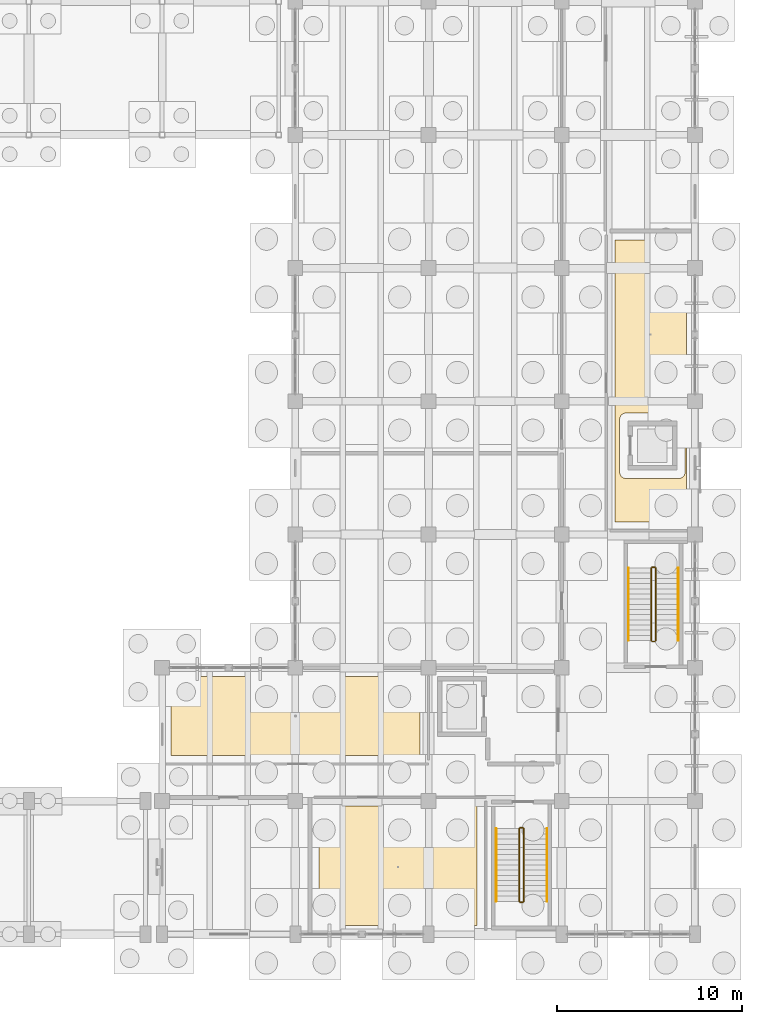
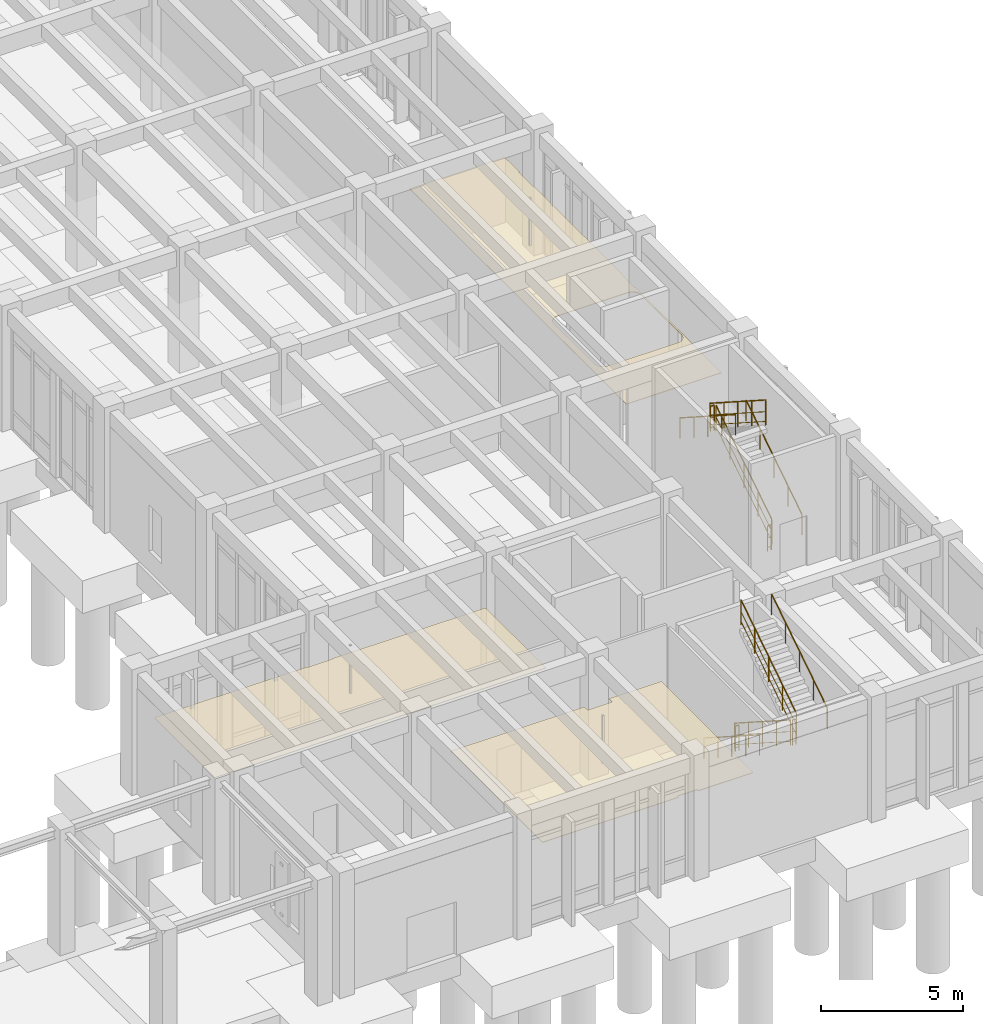
# One storey, part 91 of 93: 12 railings, 3 coverings.
"""IFC4 building model written with IfcOpenShell, lengths in metres."""

import ifcopenshell
import ifcopenshell.guid

model = None  # the IFC model being written
_history = None  # IfcOwnerHistory: only IFC2X3 demands one
_inside = {}  # id of a spatial element -> (the spatial element, [elements in it])
_under = {}  # id of a project, library or spatial element -> (it, [spatial elements below it])
_declared = {}  # id of a project -> (the project, [libraries it declares])
_typed = {}  # id of a type object -> (the type object, [elements of that type])
_made_of = {}  # id of a material, layer set ... -> (it, [elements and type objects made of it])


def new_model(schema):
    """Start an empty IFC model of exactly this schema.

    Asked for "IFC4X3", IfcOpenShell would pick the latest addendum, in which some entities
    have other attributes; the version numbers below select the first issue.
    IFC2X3 requires an IfcOwnerHistory on every rooted entity: one is made here for all.
    """
    global model, _history
    if schema == "IFC4X3":
        model = ifcopenshell.file(schema_version=(4, 3, 0, 0))
    else:
        model = ifcopenshell.file(schema=schema)
    _inside.clear()
    _under.clear()
    _declared.clear()
    _typed.clear()
    _made_of.clear()
    _history = None
    if model.schema == "IFC2X3":
        org = make("IfcOrganization", Name="unknown")
        user = make(
            "IfcPersonAndOrganization",
            ThePerson=make("IfcPerson", FamilyName="unknown"),
            TheOrganization=org,
        )
        app = make(
            "IfcApplication",
            ApplicationDeveloper=org,
            Version="unknown",
            ApplicationFullName="unknown",
            ApplicationIdentifier="unknown",
        )
        _history = make(
            "IfcOwnerHistory",
            OwningUser=user,
            OwningApplication=app,
            ChangeAction="ADDED",
            CreationDate=0,
        )
    return model


def make(cls, **values):
    """One entity of the class cls with the attributes given. An attribute that is None is left unset."""
    return model.create_entity(
        cls, **{name: value for name, value in values.items() if value is not None}
    )


def rooted(cls, **values):
    """An entity with a GlobalId (a new one), such as an element, a storey or a relation."""
    return make(cls, GlobalId=ifcopenshell.guid.new(), OwnerHistory=_history, **values)


def si_unit(unit_type, name, prefix=None):
    """IfcSIUnit, for example si_unit("LENGTHUNIT", "METRE", prefix="MILLI")."""
    return make("IfcSIUnit", UnitType=unit_type, Prefix=prefix, Name=name)


def assignment(units):
    """IfcUnitAssignment: the units of a project."""
    return None if units is None else make("IfcUnitAssignment", Units=units)


def point(xyz):
    """IfcCartesianPoint."""
    return None if xyz is None else make("IfcCartesianPoint", Coordinates=xyz)


def direction(xyz):
    """IfcDirection."""
    return None if xyz is None else make("IfcDirection", DirectionRatios=xyz)


def frame(location, z_axis=None, x_axis=None):
    """IfcAxis2Placement3D, a coordinate frame: its origin and axes. An axis left out is left unset."""
    return make(
        "IfcAxis2Placement3D",
        Location=point(location),
        Axis=direction(z_axis),
        RefDirection=direction(x_axis),
    )


def frame_2d(location, x_axis=None):
    """IfcAxis2Placement2D, a coordinate frame in the plane: its origin and x axis."""
    return make(
        "IfcAxis2Placement2D", Location=point(location), RefDirection=direction(x_axis)
    )


def origin():
    """The frame at (0, 0, 0) with its axes left unset."""
    return frame((0.0, 0.0, 0.0))


def origin_2d():
    """The frame at (0, 0) in the plane with its x axis left unset."""
    return frame_2d((0.0, 0.0))


def place(relative_to, where):
    """IfcLocalPlacement: puts the frame where relative to a parent placement (None: the world)."""
    return make(
        "IfcLocalPlacement", PlacementRelTo=relative_to, RelativePlacement=where
    )


def context(
    kind, dimensions, precision=None, world=None, true_north=None, identifier=None
):
    """IfcGeometricRepresentationContext, for example the 3D "Model" context."""
    return make(
        "IfcGeometricRepresentationContext",
        ContextIdentifier=identifier,
        ContextType=kind,
        CoordinateSpaceDimension=dimensions,
        Precision=precision,
        WorldCoordinateSystem=world,
        TrueNorth=true_north,
    )


def subcontext(parent, identifier, kind, view, scale=None):
    """IfcGeometricRepresentationSubContext, for example "Body" below "Model"."""
    return make(
        "IfcGeometricRepresentationSubContext",
        ContextIdentifier=identifier,
        ContextType=kind,
        ParentContext=parent,
        TargetScale=scale,
        TargetView=view,
    )


def project(units=None, contexts=None):
    """IfcProject with its units and contexts."""
    return rooted(
        "IfcProject",
        Name="project",
        RepresentationContexts=contexts,
        UnitsInContext=assignment(units),
    )


def spatial(cls, under=None, at=None, **own):
    """A site, building, storey or space (cls), placed at a placement, below another one or the project."""
    s = rooted(cls, ObjectPlacement=at, **own)
    if under is not None:
        _under.setdefault(under.id(), (under, []))[1].append(s)
    return s


def polyline(points):
    """IfcPolyline through the points."""
    return make("IfcPolyline", Points=[point(p) for p in points])


def profile(cls, at=None, kind="AREA", **sizes):
    """A parametric profile (cls). Its sizes go by their IFC names, for example OverallWidth=200.0."""
    return make(cls, ProfileType=kind, Position=at, **sizes)


def circle(**sizes):
    """IfcCircleProfileDef."""
    return profile("IfcCircleProfileDef", **sizes)


def outline(outer, holes=None, kind="AREA"):
    """IfcArbitraryClosedProfileDef: a profile drawn as a closed curve; with holes, ...WithVoids."""
    if holes is None:
        return make("IfcArbitraryClosedProfileDef", ProfileType=kind, OuterCurve=outer)
    return make(
        "IfcArbitraryProfileDefWithVoids",
        ProfileType=kind,
        OuterCurve=outer,
        InnerCurves=holes,
    )


def extrude(swept, where, along, depth):
    """IfcExtrudedAreaSolid: the profile swept, set in the frame where, extruded along a direction by depth."""
    return make(
        "IfcExtrudedAreaSolid",
        SweptArea=swept,
        Position=where,
        ExtrudedDirection=direction(along),
        Depth=depth,
    )


def shape(context_of_items, identifier, shape_type, items):
    """IfcShapeRepresentation: the items that make up one representation, for example the "Body"."""
    return make(
        "IfcShapeRepresentation",
        ContextOfItems=context_of_items,
        RepresentationIdentifier=identifier,
        RepresentationType=shape_type,
        Items=items,
    )


def material(Name=None, Category=None):
    """IfcMaterial."""
    return make("IfcMaterial", Name=Name, Category=Category)


def layer(
    of_material, thickness, ventilated=None, Name=None, Category=None, Priority=None
):
    """IfcMaterialLayer: one layer of a wall or slab, of a material (None: an air gap)."""
    return make(
        "IfcMaterialLayer",
        Material=of_material,
        LayerThickness=thickness,
        IsVentilated=ventilated,
        Name=Name,
        Category=Category,
        Priority=Priority,
    )


def layer_set(layers, Name=None):
    """IfcMaterialLayerSet."""
    return make("IfcMaterialLayerSet", MaterialLayers=layers, LayerSetName=Name)


def made_of(thing, what):
    """Note that an element or type object is made of a material, layer set ...; save() writes the relation."""
    if what is not None:
        _made_of.setdefault(what.id(), (what, []))[1].append(thing)
    return thing


def type_object(cls, material=None, **own):
    """A type object (cls), such as IfcWallType, which elements share."""
    return made_of(rooted(cls, **own), material)


def element(
    cls,
    number,
    at=None,
    inside=None,
    cuts=None,
    type_object=None,
    material=None,
    context=None,
    identifier="Body",
    shape_type=None,
    held_by="IfcProductDefinitionShape",
    body=None,
    shapes=None,
    **own,
):
    """One element of the class cls, such as IfcWall. Its Tag is "e" and its number.

    at: its placement. inside: the storey or other place that contains it. cuts: it is an
    opening in that element (IfcRelVoidsElement). A single representation is given by context,
    identifier, shape_type and body (its items); several are given by shapes. held_by: the class
    of the entity that holds the representations. save() writes the other relations.
    """
    e = rooted(cls, Tag="e%d" % number, ObjectPlacement=at, **own)
    if body is not None:
        shapes = [shape(context, identifier, shape_type, body)]
    if shapes is not None:
        e.Representation = make(held_by, Representations=shapes)
    if inside is not None:
        _inside.setdefault(inside.id(), (inside, []))[1].append(e)
    if cuts is not None:
        rooted(
            "IfcRelVoidsElement", RelatingBuildingElement=cuts, RelatedOpeningElement=e
        )
    if type_object is not None:
        _typed.setdefault(type_object.id(), (type_object, []))[1].append(e)
    return made_of(e, material)


def aggregate(whole, parts):
    """IfcRelAggregates: a whole, such as a stair, and the parts it consists of."""
    return rooted("IfcRelAggregates", RelatingObject=whole, RelatedObjects=parts)


def save(model, path):
    """Write the relations noted so far, then the file.

    IfcRelAggregates (storeys below a building ...), IfcRelContainedInSpatialStructure (elements
    in a storey), IfcRelDefinesByType, IfcRelAssociatesMaterial and IfcRelDeclares: one each for
    every whole, place, type object, material and project.
    """
    for whole, parts in _under.values():
        aggregate(whole, parts)
    for where, things in _inside.values():
        rooted(
            "IfcRelContainedInSpatialStructure",
            RelatedElements=things,
            RelatingStructure=where,
        )
    for kind, things in _typed.values():
        rooted("IfcRelDefinesByType", RelatedObjects=things, RelatingType=kind)
    for what, things in _made_of.values():
        rooted("IfcRelAssociatesMaterial", RelatedObjects=things, RelatingMaterial=what)
    for by, libraries in _declared.values():
        rooted("IfcRelDeclares", RelatingContext=by, RelatedDefinitions=libraries)
    model.write(path)


model = new_model("IFC4")

# Units and contexts
model_context = context("Model", 3, precision=1e-05, world=origin(), true_north=direction((0.0, 1.0)))
body_context = subcontext(model_context, "Body", "Model", "MODEL_VIEW")
ifc_project = project(units=[si_unit("LENGTHUNIT", "METRE"), si_unit("AREAUNIT", "SQUARE_METRE"), si_unit("VOLUMEUNIT", "CUBIC_METRE"), si_unit("PLANEANGLEUNIT", "RADIAN"), si_unit("MASSUNIT", "GRAM", prefix="KILO")], contexts=[model_context])

# Site, building, storey
site_placement = place(None, origin())
site = spatial("IfcSite", under=ifc_project, at=site_placement, CompositionType="ELEMENT")
building_placement = place(site_placement, origin())
building = spatial("IfcBuilding", under=site, at=building_placement, Name="Koriwan Promenade Central Fire Station", CompositionType="ELEMENT")
storey_placement = place(building_placement, origin())
storey = spatial("IfcBuildingStorey", under=building, at=storey_placement, Name="L00", CompositionType="ELEMENT", Elevation=0.0)

# Coverings
ifc_material_1 = material(Name="Mineral-fibre acoustic ceiling tile on suspended grid", Category="ceiling")
ifc_layer_1 = layer(ifc_material_1, 0.02490234375, Name="Mineral-fibre acoustic ceiling tile on suspended grid")
ifc_layer_set_1 = layer_set([ifc_layer_1], Name="Mineral-fibre acoustic ceiling tile on suspended grid")
covering_type = type_object("IfcCoveringType", Name="AcousticCeiling_Tile", PredefinedType="CEILING", material=ifc_layer_set_1)
covering_1_placement = place(storey_placement, frame((0.0, 0.0, 3.080078125)))
element("IfcCovering", 1, at=covering_1_placement, inside=storey, type_object=covering_type, Name="Fire Prevention Inspection Counter Office suspended acoustic ceiling", PredefinedType="CEILING", context=body_context, shape_type="SweptSolid", body=[
    extrude(outline(polyline([(158.89990234375, 6.699951171875), (158.89990234375, 6.929931640625), (161.030029296875, 6.929931640625), (161.030029296875, 0.469970703125), (158.800048828125, 0.469970703125), (158.800048828125, 0.550048828125), (158.0, 0.550048828125), (158.0, 0.469970703125), (152.469970703125, 0.469970703125), (152.469970703125, 6.929931640625), (157.89990234375, 6.929931640625), (157.89990234375, 6.699951171875), (158.89990234375, 6.699951171875)])), origin(), (0.0, 0.0, 1.0), 0.02490234375),
])
covering_2_placement = place(storey_placement, frame((0.0, 0.0, 3.080078125)))
element("IfcCovering", 2, at=covering_2_placement, inside=storey, type_object=covering_type, Name="Civic Reception and Credentials Office suspended acoustic ceiling", PredefinedType="CEILING", context=body_context, shape_type="SweptSolid", body=[
    extrude(outline(polyline([(151.699951171875, 13.929931640625), (157.89990234375, 13.929931640625), (157.89990234375, 13.89990234375), (157.929931640625, 13.89990234375), (157.929931640625, 9.669921875), (144.469970703125, 9.669921875), (144.469970703125, 13.89990234375), (144.5, 13.89990234375), (144.5, 13.929931640625), (150.699951171875, 13.929931640625), (150.699951171875, 13.89990234375), (151.699951171875, 13.89990234375), (151.699951171875, 13.929931640625)])), origin(), (0.0, 0.0, 1.0), 0.02490234375),
])
covering_3_placement = place(storey_placement, frame((0.0, 0.0, 3.080078125)))
element("IfcCovering", 3, at=covering_3_placement, inside=storey, type_object=covering_type, Name="Logistics and Quartermaster Office suspended acoustic ceiling", PredefinedType="CEILING", context=body_context, shape_type="SweptSolid", body=[
    extrude(outline(polyline([(168.469970703125, 22.27001953125), (168.469970703125, 37.530029296875), (172.330078125, 37.530029296875), (172.330078125, 36.5), (172.300048828125, 36.5), (172.300048828125, 35.5), (172.330078125, 35.5), (172.330078125, 29.300048828125), (172.300048828125, 29.300048828125), (172.300048828125, 28.300048828125), (172.330078125, 28.300048828125), (172.330078125, 22.27001953125), (168.469970703125, 22.27001953125)]), holes=[polyline([(172.228759765625, 27.985107421875), (172.2109375, 28.014404296875), (172.190673828125, 28.0419921875), (172.16748046875, 28.0673828125), (172.14208984375, 28.090576171875), (172.114501953125, 28.111083984375), (172.0849609375, 28.128662109375), (172.053955078125, 28.143310546875), (172.021484375, 28.15478515625), (171.98828125, 28.163330078125), (171.954345703125, 28.168212890625), (171.919921875, 28.169921875), (169.080078125, 28.169921875), (169.045654296875, 28.168212890625), (169.01171875, 28.163330078125), (168.978515625, 28.15478515625), (168.946044921875, 28.143310546875), (168.9150390625, 28.128662109375), (168.885498046875, 28.111083984375), (168.85791015625, 28.090576171875), (168.83251953125, 28.0673828125), (168.809326171875, 28.0419921875), (168.7890625, 28.014404296875), (168.771240234375, 27.985107421875), (168.756591796875, 27.953857421875), (168.7451171875, 27.921630859375), (168.73681640625, 27.88818359375), (168.731689453125, 27.854248046875), (168.72998046875, 27.820068359375), (168.72998046875, 24.97998046875), (168.731689453125, 24.94580078125), (168.73681640625, 24.91162109375), (168.7451171875, 24.87841796875), (168.756591796875, 24.84619140625), (168.771240234375, 24.81494140625), (168.7890625, 24.78564453125), (168.809326171875, 24.758056640625), (168.83251953125, 24.732421875), (168.85791015625, 24.70947265625), (168.885498046875, 24.68896484375), (168.9150390625, 24.67138671875), (168.946044921875, 24.656494140625), (168.978515625, 24.64501953125), (169.01171875, 24.63671875), (169.045654296875, 24.631591796875), (169.080078125, 24.6298828125), (171.919921875, 24.6298828125), (171.954345703125, 24.631591796875), (171.98828125, 24.63671875), (172.021484375, 24.64501953125), (172.053955078125, 24.656494140625), (172.0849609375, 24.67138671875), (172.114501953125, 24.68896484375), (172.14208984375, 24.70947265625), (172.16748046875, 24.732421875), (172.190673828125, 24.758056640625), (172.2109375, 24.78564453125), (172.228759765625, 24.81494140625), (172.243408203125, 24.84619140625), (172.2548828125, 24.87841796875), (172.26318359375, 24.91162109375), (172.268310546875, 24.94580078125), (172.27001953125, 24.97998046875), (172.27001953125, 27.820068359375), (172.268310546875, 27.854248046875), (172.26318359375, 27.88818359375), (172.2548828125, 27.921630859375), (172.243408203125, 27.953857421875), (172.228759765625, 27.985107421875)])]), origin(), (0.0, 0.0, 1.0), 0.02490234375),
])

# Railings
ifc_material_2 = material(Name="Steel ASTM A500 Grade C", Category="steel")
ifc_layer_2 = layer(ifc_material_2, 0.050048828125, Name="Steel ASTM A500 Grade C")
ifc_layer_set_2 = layer_set([ifc_layer_2], Name="Steel ASTM A500 Grade C")
railing_type_1 = type_object("IfcRailingType", Name="StairGuard_1100", PredefinedType="BALUSTRADE", material=ifc_layer_set_2)
railing_1_placement = place(storey_placement, frame((163.300048828125, 5.699951171875, 0.179931640625)))
element("IfcRailing", 4, at=railing_1_placement, inside=storey, type_object=railing_type_1, Name="L00 ST22 stair guard 1", PredefinedType="BALUSTRADE", context=body_context, shape_type="SweptSolid", body=[
    extrude(circle(Radius=0.02392578125, at=origin_2d()), frame((0.0, 0.0, 1.076171875), z_axis=(0.0, -0.841171666519, 0.540768182723), x_axis=(1.0, 0.0, 0.0)), (0.0, 0.0, 1.0), 4.66015625),
    extrude(circle(Radius=0.012939453125, at=origin_2d()), frame((0.0, 0.0, 0.572021484375), z_axis=(0.0, -0.841171666519, 0.540768182723), x_axis=(1.0, 0.0, 0.0)), (0.0, 0.0, 1.0), 4.66015625),
    extrude(circle(Radius=0.012939453125, at=origin_2d()), frame((0.0, 0.0, 0.154052734375), z_axis=(0.0, -0.841171666519, 0.540768182723), x_axis=(1.0, 0.0, 0.0)), (0.0, 0.0, 1.0), 4.66015625),
    extrude(circle(Radius=0.02099609375, at=origin_2d()), origin(), (0.0, 0.0, 1.0), 1.052001953125),
    extrude(circle(Radius=0.02099609375, at=origin_2d()), frame((0.0, -0.97998046875, 0.6298828125)), (0.0, 0.0, 1.0), 1.052001953125),
    extrude(circle(Radius=0.02099609375, at=origin_2d()), frame((0.0, -1.9599609375, 1.260009765625)), (0.0, 0.0, 1.0), 1.052001953125),
    extrude(circle(Radius=0.02099609375, at=origin_2d()), frame((0.0, -2.93994140625, 1.89013671875)), (0.0, 0.0, 1.0), 1.052001953125),
    extrude(circle(Radius=0.02099609375, at=origin_2d()), frame((0.0, -3.919921875, 2.52001953125)), (0.0, 0.0, 1.0), 1.052001953125),
])
railing_2_placement = place(storey_placement, frame((163.35009765625, 1.72998046875, 2.699951171875)))
element("IfcRailing", 5, at=railing_2_placement, inside=storey, type_object=railing_type_1, Name="L00 ST22 stair guard 2", PredefinedType="BALUSTRADE", context=body_context, shape_type="SweptSolid", body=[
    extrude(circle(Radius=0.02392578125, at=origin_2d()), frame((0.0, 0.0, 1.076171875), z_axis=(1.0, 0.0, 0.0), x_axis=(0.0, 1.0, 0.0)), (0.0, 0.0, 1.0), 0.14990234375),
    extrude(circle(Radius=0.012939453125, at=origin_2d()), frame((0.0, 0.0, 0.572021484375), z_axis=(1.0, 0.0, 0.0), x_axis=(0.0, 1.0, 0.0)), (0.0, 0.0, 1.0), 0.14990234375),
    extrude(circle(Radius=0.012939453125, at=origin_2d()), frame((0.0, 0.0, 0.154052734375), z_axis=(1.0, 0.0, 0.0), x_axis=(0.0, 1.0, 0.0)), (0.0, 0.0, 1.0), 0.14990234375),
    extrude(circle(Radius=0.02099609375, at=origin_2d()), origin(), (0.0, 0.0, 1.0), 1.052001953125),
    extrude(circle(Radius=0.02099609375, at=origin_2d()), frame((0.14990234375, 0.0, 0.0)), (0.0, 0.0, 1.0), 1.052001953125),
])
railing_3_placement = place(storey_placement, frame((163.550048828125, 1.780029296875, 2.8798828125)))
element("IfcRailing", 6, at=railing_3_placement, inside=storey, type_object=railing_type_1, Name="L00 ST22 stair guard 3", PredefinedType="BALUSTRADE", context=body_context, shape_type="SweptSolid", body=[
    extrude(circle(Radius=0.02392578125, at=origin_2d()), frame((0.0, 0.0, 1.076171875), z_axis=(0.0, 0.841171666519, 0.540768182723), x_axis=(-1.0, 0.0, 0.0)), (0.0, 0.0, 1.0), 4.66015625),
    extrude(circle(Radius=0.012939453125, at=origin_2d()), frame((0.0, 0.0, 0.572021484375), z_axis=(0.0, 0.841171666519, 0.540768182723), x_axis=(-1.0, 0.0, 0.0)), (0.0, 0.0, 1.0), 4.66015625),
    extrude(circle(Radius=0.012939453125, at=origin_2d()), frame((0.0, 0.0, 0.154052734375), z_axis=(0.0, 0.841171666519, 0.540768182723), x_axis=(-1.0, 0.0, 0.0)), (0.0, 0.0, 1.0), 4.66015625),
    extrude(circle(Radius=0.02099609375, at=origin_2d()), origin(), (0.0, 0.0, 1.0), 1.052001953125),
    extrude(circle(Radius=0.02099609375, at=origin_2d()), frame((0.0, 0.97998046875, 0.6298828125)), (0.0, 0.0, 1.0), 1.052001953125),
    extrude(circle(Radius=0.02099609375, at=origin_2d()), frame((0.0, 1.9599609375, 1.260009765625)), (0.0, 0.0, 1.0), 1.052001953125),
    extrude(circle(Radius=0.02099609375, at=origin_2d()), frame((0.0, 2.93994140625, 1.89013671875)), (0.0, 0.0, 1.0), 1.052001953125),
    extrude(circle(Radius=0.02099609375, at=origin_2d()), frame((0.0, 3.919921875, 2.52001953125)), (0.0, 0.0, 1.0), 1.052001953125),
])
railing_4_placement = place(storey_placement, frame((163.35009765625, 5.75, 0.0)))
element("IfcRailing", 7, at=railing_4_placement, inside=storey, type_object=railing_type_1, Name="L00 ST22 stair guard 4", PredefinedType="BALUSTRADE", context=body_context, shape_type="SweptSolid", body=[
    extrude(circle(Radius=0.02392578125, at=origin_2d()), frame((0.0, 0.0, 1.076171875), z_axis=(1.0, 0.0, 0.0), x_axis=(0.0, 1.0, 0.0)), (0.0, 0.0, 1.0), 0.14990234375),
    extrude(circle(Radius=0.012939453125, at=origin_2d()), frame((0.0, 0.0, 0.572021484375), z_axis=(1.0, 0.0, 0.0), x_axis=(0.0, 1.0, 0.0)), (0.0, 0.0, 1.0), 0.14990234375),
    extrude(circle(Radius=0.012939453125, at=origin_2d()), frame((0.0, 0.0, 0.154052734375), z_axis=(1.0, 0.0, 0.0), x_axis=(0.0, 1.0, 0.0)), (0.0, 0.0, 1.0), 0.14990234375),
    extrude(circle(Radius=0.02099609375, at=origin_2d()), origin(), (0.0, 0.0, 1.0), 1.052001953125),
    extrude(circle(Radius=0.02099609375, at=origin_2d()), frame((0.14990234375, 0.0, 0.0)), (0.0, 0.0, 1.0), 1.052001953125),
])
railing_5_placement = place(storey_placement, frame((170.679931640625, 15.8701171875, 0.179931640625)))
element("IfcRailing", 8, at=railing_5_placement, inside=storey, type_object=railing_type_1, Name="L00 ST27 stair guard 1", PredefinedType="BALUSTRADE", context=body_context, shape_type="SweptSolid", body=[
    extrude(circle(Radius=0.02392578125, at=origin_2d()), frame((0.0, 0.0, 1.076171875), z_axis=(0.0, 0.841171666519, 0.540768182723), x_axis=(-1.0, 0.0, 0.0)), (0.0, 0.0, 1.0), 4.66015625),
    extrude(circle(Radius=0.012939453125, at=origin_2d()), frame((0.0, 0.0, 0.572021484375), z_axis=(0.0, 0.841171666519, 0.540768182723), x_axis=(-1.0, 0.0, 0.0)), (0.0, 0.0, 1.0), 4.66015625),
    extrude(circle(Radius=0.012939453125, at=origin_2d()), frame((0.0, 0.0, 0.154052734375), z_axis=(0.0, 0.841171666519, 0.540768182723), x_axis=(-1.0, 0.0, 0.0)), (0.0, 0.0, 1.0), 4.66015625),
    extrude(circle(Radius=0.02099609375, at=origin_2d()), origin(), (0.0, 0.0, 1.0), 1.052001953125),
    extrude(circle(Radius=0.02099609375, at=origin_2d()), frame((0.0, 0.97998046875, 0.6298828125)), (0.0, 0.0, 1.0), 1.052001953125),
    extrude(circle(Radius=0.02099609375, at=origin_2d()), frame((0.0, 1.9599609375, 1.260009765625)), (0.0, 0.0, 1.0), 1.052001953125),
    extrude(circle(Radius=0.02099609375, at=origin_2d()), frame((0.0, 2.93994140625, 1.89013671875)), (0.0, 0.0, 1.0), 1.052001953125),
    extrude(circle(Radius=0.02099609375, at=origin_2d()), frame((0.0, 3.919921875, 2.52001953125)), (0.0, 0.0, 1.0), 1.052001953125),
])
railing_6_placement = place(storey_placement, frame((170.6298828125, 19.840087890625, 2.699951171875)))
element("IfcRailing", 9, at=railing_6_placement, inside=storey, type_object=railing_type_1, Name="L00 ST27 stair guard 2", PredefinedType="BALUSTRADE", context=body_context, shape_type="SweptSolid", body=[
    extrude(circle(Radius=0.02392578125, at=origin_2d()), frame((0.0, 0.0, 1.076171875), z_axis=(-1.0, 0.0, 0.0), x_axis=(0.0, -1.0, 0.0)), (0.0, 0.0, 1.0), 0.14990234375),
    extrude(circle(Radius=0.012939453125, at=origin_2d()), frame((0.0, 0.0, 0.572021484375), z_axis=(-1.0, 0.0, 0.0), x_axis=(0.0, -1.0, 0.0)), (0.0, 0.0, 1.0), 0.14990234375),
    extrude(circle(Radius=0.012939453125, at=origin_2d()), frame((0.0, 0.0, 0.154052734375), z_axis=(-1.0, 0.0, 0.0), x_axis=(0.0, -1.0, 0.0)), (0.0, 0.0, 1.0), 0.14990234375),
    extrude(circle(Radius=0.02099609375, at=origin_2d()), origin(), (0.0, 0.0, 1.0), 1.052001953125),
    extrude(circle(Radius=0.02099609375, at=origin_2d()), frame((-0.14990234375, 0.0, 0.0)), (0.0, 0.0, 1.0), 1.052001953125),
])
railing_7_placement = place(storey_placement, frame((170.429931640625, 19.7900390625, 2.8798828125)))
element("IfcRailing", 10, at=railing_7_placement, inside=storey, type_object=railing_type_1, Name="L00 ST27 stair guard 3", PredefinedType="BALUSTRADE", context=body_context, shape_type="SweptSolid", body=[
    extrude(circle(Radius=0.02392578125, at=origin_2d()), frame((0.0, 0.0, 1.076171875), z_axis=(0.0, -0.841171666519, 0.540768182723), x_axis=(1.0, 0.0, 0.0)), (0.0, 0.0, 1.0), 4.66015625),
    extrude(circle(Radius=0.012939453125, at=origin_2d()), frame((0.0, 0.0, 0.572021484375), z_axis=(0.0, -0.841171666519, 0.540768182723), x_axis=(1.0, 0.0, 0.0)), (0.0, 0.0, 1.0), 4.66015625),
    extrude(circle(Radius=0.012939453125, at=origin_2d()), frame((0.0, 0.0, 0.154052734375), z_axis=(0.0, -0.841171666519, 0.540768182723), x_axis=(1.0, 0.0, 0.0)), (0.0, 0.0, 1.0), 4.66015625),
    extrude(circle(Radius=0.02099609375, at=origin_2d()), origin(), (0.0, 0.0, 1.0), 1.052001953125),
    extrude(circle(Radius=0.02099609375, at=origin_2d()), frame((0.0, -0.97998046875, 0.6298828125)), (0.0, 0.0, 1.0), 1.052001953125),
    extrude(circle(Radius=0.02099609375, at=origin_2d()), frame((0.0, -1.9599609375, 1.260009765625)), (0.0, 0.0, 1.0), 1.052001953125),
    extrude(circle(Radius=0.02099609375, at=origin_2d()), frame((0.0, -2.93994140625, 1.89013671875)), (0.0, 0.0, 1.0), 1.052001953125),
    extrude(circle(Radius=0.02099609375, at=origin_2d()), frame((0.0, -3.919921875, 2.52001953125)), (0.0, 0.0, 1.0), 1.052001953125),
])
railing_8_placement = place(storey_placement, frame((170.6298828125, 15.820068359375, 0.0)))
element("IfcRailing", 11, at=railing_8_placement, inside=storey, type_object=railing_type_1, Name="L00 ST27 stair guard 4", PredefinedType="BALUSTRADE", context=body_context, shape_type="SweptSolid", body=[
    extrude(circle(Radius=0.02392578125, at=origin_2d()), frame((0.0, 0.0, 1.076171875), z_axis=(-1.0, 0.0, 0.0), x_axis=(0.0, -1.0, 0.0)), (0.0, 0.0, 1.0), 0.14990234375),
    extrude(circle(Radius=0.012939453125, at=origin_2d()), frame((0.0, 0.0, 0.572021484375), z_axis=(-1.0, 0.0, 0.0), x_axis=(0.0, -1.0, 0.0)), (0.0, 0.0, 1.0), 0.14990234375),
    extrude(circle(Radius=0.012939453125, at=origin_2d()), frame((0.0, 0.0, 0.154052734375), z_axis=(-1.0, 0.0, 0.0), x_axis=(0.0, -1.0, 0.0)), (0.0, 0.0, 1.0), 0.14990234375),
    extrude(circle(Radius=0.02099609375, at=origin_2d()), origin(), (0.0, 0.0, 1.0), 1.052001953125),
    extrude(circle(Radius=0.02099609375, at=origin_2d()), frame((-0.14990234375, 0.0, 0.0)), (0.0, 0.0, 1.0), 1.052001953125),
])
ifc_material_3 = material(Name="Stainless steel 316 tubular handrail", Category="steel")
ifc_layer_3 = layer(ifc_material_3, 0.048095703125, Name="Stainless steel 316 tubular handrail")
ifc_layer_set_3 = layer_set([ifc_layer_3], Name="Stainless steel 316 tubular handrail")
railing_type_2 = type_object("IfcRailingType", Name="StairHandrail_900", PredefinedType="HANDRAIL", material=ifc_layer_set_3)
railing_9_placement = place(storey_placement, frame((162.050048828125, 5.699951171875, 0.179931640625)))
element("IfcRailing", 12, at=railing_9_placement, inside=storey, type_object=railing_type_2, Name="L00 ST22 stair handrail 1", PredefinedType="HANDRAIL", context=body_context, shape_type="SweptSolid", body=[
    extrude(circle(Radius=0.02392578125, at=origin_2d()), frame((0.0, 0.0, 0.8759765625), z_axis=(0.0, -0.841171666519, 0.540768182723), x_axis=(1.0, 0.0, 0.0)), (0.0, 0.0, 1.0), 4.66015625),
    extrude(circle(Radius=0.02099609375, at=origin_2d()), origin(), (0.0, 0.0, 1.0), 0.851806640625),
    extrude(circle(Radius=0.02099609375, at=origin_2d()), frame((0.0, -0.97998046875, 0.6298828125)), (0.0, 0.0, 1.0), 0.851806640625),
    extrude(circle(Radius=0.02099609375, at=origin_2d()), frame((0.0, -1.9599609375, 1.260009765625)), (0.0, 0.0, 1.0), 0.851806640625),
    extrude(circle(Radius=0.02099609375, at=origin_2d()), frame((0.0, -2.93994140625, 1.89013671875)), (0.0, 0.0, 1.0), 0.851806640625),
    extrude(circle(Radius=0.02099609375, at=origin_2d()), frame((0.0, -3.919921875, 2.52001953125)), (0.0, 0.0, 1.0), 0.851806640625),
])
for number, where, name in (
    (13, (164.800048828125, 1.780029296875, 2.8798828125), "L00 ST22 stair handrail 2"),
    (14, (171.89990234375, 15.8701171875, 0.179931640625), "L00 ST27 stair handrail 1"),
):
    element("IfcRailing", number, at=place(storey_placement, frame(where)), inside=storey, type_object=railing_type_2, Name=name, PredefinedType="HANDRAIL", context=body_context, shape_type="SweptSolid", body=[
        extrude(circle(Radius=0.02392578125, at=origin_2d()), frame((0.0, 0.0, 0.8759765625), z_axis=(0.0, 0.841171666519, 0.540768182723), x_axis=(-1.0, 0.0, 0.0)), (0.0, 0.0, 1.0), 4.66015625),
        extrude(circle(Radius=0.02099609375, at=origin_2d()), origin(), (0.0, 0.0, 1.0), 0.851806640625),
        extrude(circle(Radius=0.02099609375, at=origin_2d()), frame((0.0, 0.97998046875, 0.6298828125)), (0.0, 0.0, 1.0), 0.851806640625),
        extrude(circle(Radius=0.02099609375, at=origin_2d()), frame((0.0, 1.9599609375, 1.260009765625)), (0.0, 0.0, 1.0), 0.851806640625),
        extrude(circle(Radius=0.02099609375, at=origin_2d()), frame((0.0, 2.93994140625, 1.89013671875)), (0.0, 0.0, 1.0), 0.851806640625),
        extrude(circle(Radius=0.02099609375, at=origin_2d()), frame((0.0, 3.919921875, 2.52001953125)), (0.0, 0.0, 1.0), 0.851806640625),
    ])
railing_10_placement = place(storey_placement, frame((169.2099609375, 19.7900390625, 2.8798828125)))
element("IfcRailing", 15, at=railing_10_placement, inside=storey, type_object=railing_type_2, Name="L00 ST27 stair handrail 2", PredefinedType="HANDRAIL", context=body_context, shape_type="SweptSolid", body=[
    extrude(circle(Radius=0.02392578125, at=origin_2d()), frame((0.0, 0.0, 0.8759765625), z_axis=(0.0, -0.841171666519, 0.540768182723), x_axis=(1.0, 0.0, 0.0)), (0.0, 0.0, 1.0), 4.66015625),
    extrude(circle(Radius=0.02099609375, at=origin_2d()), origin(), (0.0, 0.0, 1.0), 0.851806640625),
    extrude(circle(Radius=0.02099609375, at=origin_2d()), frame((0.0, -0.97998046875, 0.6298828125)), (0.0, 0.0, 1.0), 0.851806640625),
    extrude(circle(Radius=0.02099609375, at=origin_2d()), frame((0.0, -1.9599609375, 1.260009765625)), (0.0, 0.0, 1.0), 0.851806640625),
    extrude(circle(Radius=0.02099609375, at=origin_2d()), frame((0.0, -2.93994140625, 1.89013671875)), (0.0, 0.0, 1.0), 0.851806640625),
    extrude(circle(Radius=0.02099609375, at=origin_2d()), frame((0.0, -3.919921875, 2.52001953125)), (0.0, 0.0, 1.0), 0.851806640625),
])

save(model, "model.ifc")
